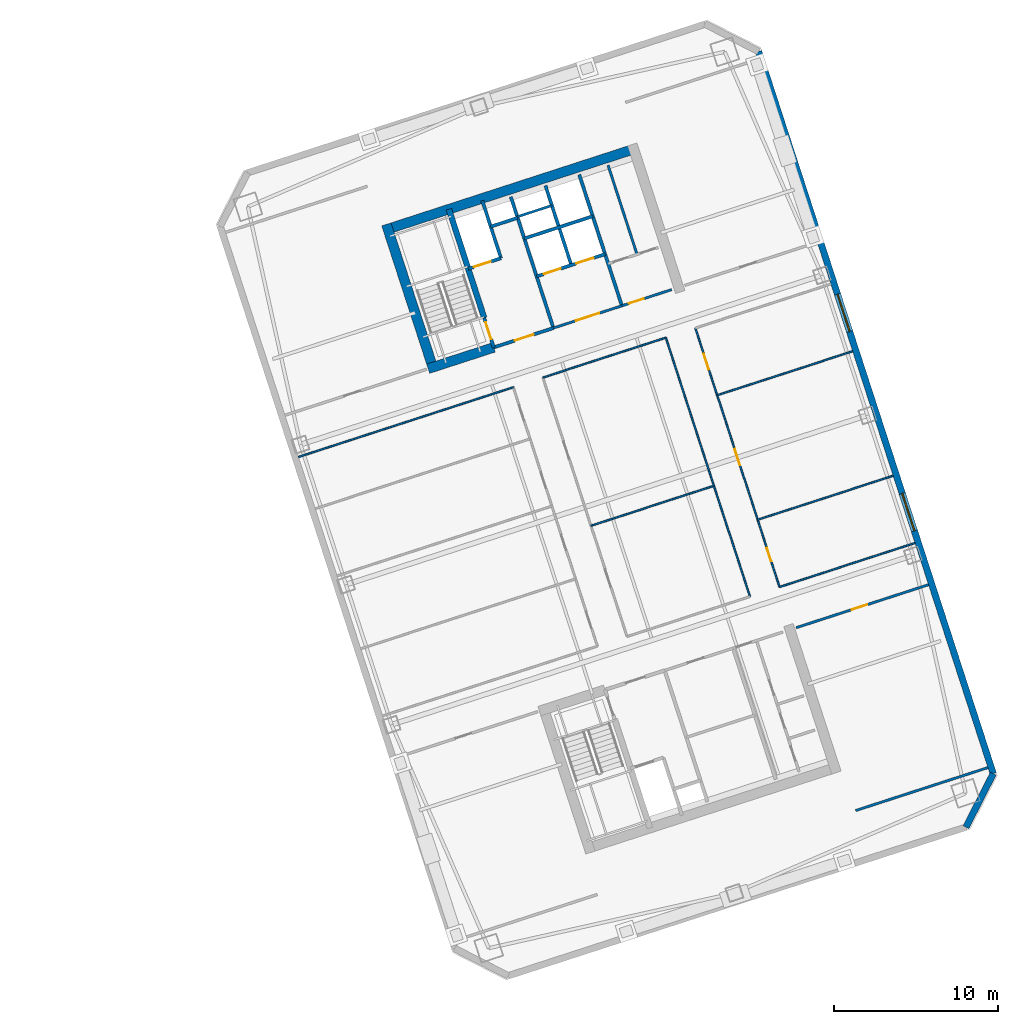
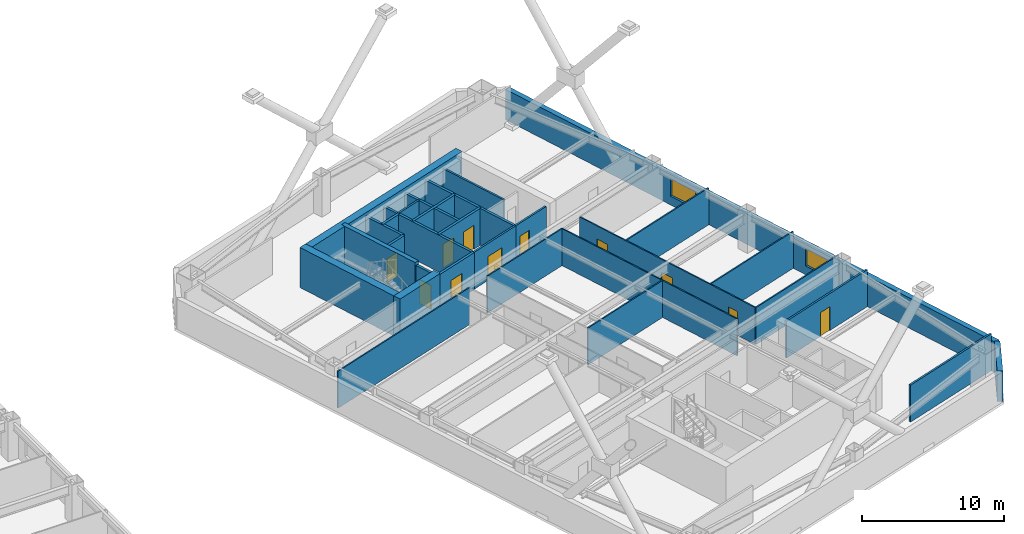
# One storey, part 8 of 12: 30 walls, 11 doors, 2 windows, 13 openings.
"""IFC4 building model written with IfcOpenShell, lengths in metres."""

from ifc_helpers import new_model, si_unit, direction, frame, frame_2d, origin, place, context, subcontext, project, spatial, rectangle, extrude, material, layer, layer_set, type_object, element, fill, save


model = new_model("IFC4")

# Units and contexts
model_context = context("Model", 3, precision=1e-05, world=origin(), true_north=direction((0.0, 1.0)))
body_context = subcontext(model_context, "Body", "Model", "MODEL_VIEW")
ifc_project = project(units=[si_unit("LENGTHUNIT", "METRE"), si_unit("AREAUNIT", "SQUARE_METRE"), si_unit("VOLUMEUNIT", "CUBIC_METRE"), si_unit("PLANEANGLEUNIT", "RADIAN"), si_unit("MASSUNIT", "GRAM", prefix="KILO")], contexts=[model_context])

# Site, building, storey
site_placement = place(None, origin())
site = spatial("IfcSite", under=ifc_project, at=site_placement, CompositionType="ELEMENT")
building_placement = place(site_placement, origin())
building = spatial("IfcBuilding", under=site, at=building_placement, Name="Qiaolan Cultural Towers", CompositionType="ELEMENT")
storey_placement = place(building_placement, frame((0.0, 0.0, 106.949951171875)))
storey = spatial("IfcBuildingStorey", under=building, at=storey_placement, Name="L27", CompositionType="ELEMENT", Elevation=106.949951171875)

# Walls
ifc_material_1 = material(Name="Concrete C50", Category="concrete")
ifc_layer_1 = layer(ifc_material_1, 0.35009765625)
ifc_layer_set_1 = layer_set([ifc_layer_1], Name="Concrete C50")
wall_type_1 = type_object("IfcWallType", Name="WL-CORE-350", PredefinedType="SHEAR", material=ifc_layer_set_1)
wall_1_placement = place(storey_placement, frame((82.513671875, 45.13134765625, 0.0), z_axis=(0.0, 0.0, 1.0), x_axis=(-0.308988790936, 0.951065679686, 0.0)))
element("IfcWall", 1, at=wall_1_placement, inside=storey, type_object=wall_type_1, Name="L27 T2-CN Stair Core Dividing Web", PredefinedType="SHEAR", context=body_context, shape_type="SweptSolid", body=[
    extrude(rectangle(XDim=6.97998046875, YDim=0.35009765625, at=frame_2d((3.489990234375, 0.0))), origin(), (0.0, 0.0, 1.0), 3.449951171875),
])
ifc_material_2 = material(Name="Concrete C55", Category="concrete")
ifc_layer_2 = layer(ifc_material_2, 0.60009765625)
ifc_layer_set_2 = layer_set([ifc_layer_2], Name="Concrete C55")
wall_type_2 = type_object("IfcWallType", Name="WL-CORE-600", PredefinedType="SHEAR", material=ifc_layer_set_2)
wall_2_placement = place(storey_placement, frame((76.343505859375, 50.4658203125, 0.0), z_axis=(0.0, 0.0, 1.0), x_axis=(0.951055727519, 0.309019421968, 0.0)))
element("IfcWall", 2, at=wall_2_placement, inside=storey, type_object=wall_type_2, Name="L27 T2-CN Outer Core Shear Wall", PredefinedType="SHEAR", context=body_context, shape_type="SweptSolid", body=[
    extrude(rectangle(XDim=16.39990234375, YDim=0.60009765625, at=frame_2d((8.199951171875, 0.0))), origin(), (0.0, 0.0, 1.0), 3.449951171875),
])
wall_3_placement = place(storey_placement, frame((79.465576171875, 41.827880859375, 0.0), z_axis=(0.0, 0.0, 1.0), x_axis=(-0.309041232772, 0.951048640421, 0.0)))
element("IfcWall", 3, at=wall_3_placement, inside=storey, type_object=wall_type_2, Name="L27 T2-CN West Core Shear Wall", PredefinedType="SHEAR", context=body_context, shape_type="SweptSolid", body=[
    extrude(rectangle(XDim=9.47998046875, YDim=0.60009765625, at=frame_2d((4.739990234375, 0.0))), origin(), (0.0, 0.0, 1.0), 3.449951171875),
])
wall_4_placement = place(storey_placement, frame((79.08740234375, 42.0205078125, 0.0), z_axis=(0.0, 0.0, 1.0), x_axis=(0.951062550203, 0.3089984233, 0.0)))
element("IfcWall", 4, at=wall_4_placement, inside=storey, type_object=wall_type_2, Name="L27 T2-CN Stair Front Shear Wall", PredefinedType="SHEAR", context=body_context, shape_type="SweptSolid", body=[
    extrude(rectangle(XDim=4.219970703125, YDim=0.60009765625, at=frame_2d((2.10986328125, 0.0))), origin(), (0.0, 0.0, 1.0), 3.449951171875),
])

# Wall, openings, windows
ifc_material_3 = material(Name="Precast Concrete C50 Honed Stone Pier", Category="masonry")
ifc_layer_3 = layer(ifc_material_3, 0.39990234375)
ifc_layer_set_3 = layer_set([ifc_layer_3], Name="Precast Concrete C50 Honed Stone Pier")
wall_type_3 = type_object("IfcWallType", Name="WL-EXT-PIER-400", PredefinedType="SOLIDWALL", material=ifc_layer_set_3)
wall_5_placement = place(storey_placement, frame((99.2841796875, 61.410400390625, 0.0), z_axis=(0.0, 0.0, 1.0), x_axis=(0.309017542002, -0.95105633836, 0.0)))
wall_5 = element("IfcWall", 5, at=wall_5_placement, inside=storey, type_object=wall_type_3, Name="L27 East Tower Precast Pier Facade Wall F5", PredefinedType="SOLIDWALL", context=body_context, shape_type="SweptSolid", body=[
    extrude(rectangle(XDim=46.39990234375, YDim=0.39990234375, at=frame_2d((23.199951171875, 0.0))), origin(), (0.0, 0.0, 1.0), 2.610107421875),
])
opening_1_placement = place(wall_5_placement, frame((28.39990234375, 0.0, 0.75)))
opening_1 = element("IfcOpeningElement", 6, at=opening_1_placement, cuts=wall_5, Name="Opening W-02", PredefinedType="OPENING", context=body_context, shape_type="SweptSolid", body=[
    extrude(rectangle(XDim=2.39990234375, YDim=1.4599609375, at=frame_2d((1.199951171875, 0.72998046875))), frame((0.0, 0.2099609375, 0.0), z_axis=(0.0, -1.0, 0.0), x_axis=(1.0, 0.0, 0.0)), (0.0, 0.0, 1.0), 0.419921875),
])
opening_2_placement = place(wall_5_placement, frame((15.60009765625, 0.0, 0.75)))
opening_2 = element("IfcOpeningElement", 7, at=opening_2_placement, cuts=wall_5, Name="Opening W-02", PredefinedType="OPENING", context=body_context, shape_type="SweptSolid", body=[
    extrude(rectangle(XDim=2.39990234375, YDim=1.4599609375, at=frame_2d((1.199951171875, 0.72998046875))), frame((0.0, 0.2099609375, 0.0), z_axis=(0.0, -1.0, 0.0), x_axis=(1.0, 0.0, 0.0)), (0.0, 0.0, 1.0), 0.419921875),
])
ifc_material_4 = material(Name="Thermally Broken Aluminium Triple Low-E Glazing", Category="aluminium")
window_type = type_object("IfcWindowType", Name="WN-CHIC-2400", PartitioningType="SINGLE_PANEL", PredefinedType="WINDOW", material=ifc_material_4)
window_1_placement = place(opening_1_placement, origin())
window_1 = element("IfcWindow", 8, at=window_1_placement, inside=storey, type_object=window_type, Name="L27 T2 E Chicago Bay Window 1", OverallHeight=1.4599609375, OverallWidth=2.39990234375, PartitioningType="TRIPLE_PANEL_VERTICAL", PredefinedType="WINDOW", context=body_context, shape_type="SweptSolid", body=[
    extrude(rectangle(XDim=2.39990234375, YDim=1.4599609375, at=frame_2d((1.199951171875, 0.72998046875))), frame((0.0, 0.030029296875, 0.0), z_axis=(0.0, -1.0, 0.0), x_axis=(1.0, 0.0, 0.0)), (0.0, 0.0, 1.0), 0.06005859375),
])
fill(opening_1, window_1)
window_2_placement = place(opening_2_placement, origin())
window_2 = element("IfcWindow", 9, at=window_2_placement, inside=storey, type_object=window_type, Name="L27 T2 E Chicago Bay Window 2", OverallHeight=1.4599609375, OverallWidth=2.39990234375, PartitioningType="TRIPLE_PANEL_VERTICAL", PredefinedType="WINDOW", context=body_context, shape_type="SweptSolid", body=[
    extrude(rectangle(XDim=2.39990234375, YDim=1.4599609375, at=frame_2d((1.199951171875, 0.72998046875))), frame((0.0, 0.030029296875, 0.0), z_axis=(0.0, -1.0, 0.0), x_axis=(1.0, 0.0, 0.0)), (0.0, 0.0, 1.0), 0.06005859375),
])
fill(opening_2, window_2)

# Wall
wall_6_placement = place(storey_placement, frame((113.62255859375, 17.281494140625, 0.0), z_axis=(0.0, 0.0, 1.0), x_axis=(-0.454026238093, -0.890988313685, 0.0)))
element("IfcWall", 10, at=wall_6_placement, inside=storey, type_object=wall_type_3, Name="L27 East Tower Precast Pier Facade Wall F6", PredefinedType="SOLIDWALL", context=body_context, shape_type="SweptSolid", body=[
    extrude(rectangle(XDim=3.677001953125, YDim=0.39990234375, at=frame_2d((1.83837890625, 0.0))), origin(), (0.0, 0.0, 1.0), 2.610107421875),
])

# Wall, opening, door
ifc_material_5 = material(Name="Concrete C35 Fire Wall", Category="concrete")
ifc_layer_4 = layer(ifc_material_5, 0.199951171875)
ifc_layer_set_4 = layer_set([ifc_layer_4], Name="Concrete C35 Fire Wall")
wall_type_4 = type_object("IfcWallType", Name="WL-FIRE-200", PredefinedType="PARTITIONING", material=ifc_layer_set_4)
wall_7_placement = place(storey_placement, frame((83.100830078125, 43.324462890625, 0.0), z_axis=(0.0, 0.0, 1.0), x_axis=(-0.309048298632, 0.951046344356, 0.0)))
wall_7 = element("IfcWall", 11, at=wall_7_placement, inside=storey, type_object=wall_type_4, Name="L27 T2-CN Smokeproof Stair Entry Wall", PredefinedType="PARTITIONING", context=body_context, shape_type="SweptSolid", body=[
    extrude(rectangle(XDim=1.89990234375, YDim=0.199951171875, at=frame_2d((0.949951171875, 0.0))), origin(), (0.0, 0.0, 1.0), 3.175048828125),
])
opening_3_placement = place(wall_7_placement, frame((0.52001953125, 0.0, 0.0)))
opening_3 = element("IfcOpeningElement", 12, at=opening_3_placement, cuts=wall_7, Name="Opening FD-04", PredefinedType="OPENING", context=body_context, shape_type="SweptSolid", body=[
    extrude(rectangle(XDim=1.10009765625, YDim=2.050048828125, at=frame_2d((0.550048828125, 1.02490234375))), frame((0.0, 0.10986328125, 0.0), z_axis=(0.0, -1.0, 0.0), x_axis=(1.0, 0.0, 0.0)), (0.0, 0.0, 1.0), 0.219970703125),
])
ifc_material_6 = material(Name="Galvanized Steel Command Fire Door", Category="steel")
door_type_1 = type_object("IfcDoorType", Name="DR-FD90-1100", OperationType="NOTDEFINED", PredefinedType="DOOR", material=ifc_material_6)
door_1_placement = place(opening_3_placement, origin())
door_1 = element("IfcDoor", 13, at=door_1_placement, inside=storey, type_object=door_type_1, Name="L27 ST-E2 Smokeproof Stair Fire Door", OperationType="SINGLE_SWING_LEFT", OverallHeight=2.050048828125, OverallWidth=1.10009765625, PredefinedType="DOOR", context=body_context, shape_type="SweptSolid", body=[
    extrude(rectangle(XDim=1.10009765625, YDim=2.050048828125, at=frame_2d((0.550048828125, 1.02490234375))), frame((0.0, 0.02490234375, 0.0), z_axis=(0.0, -1.0, 0.0), x_axis=(1.0, 0.0, 0.0)), (0.0, 0.0, 1.0), 0.050048828125),
])
fill(opening_3, door_1)

# Wall
wall_8_placement = place(storey_placement, frame((86.743408203125, 44.508056640625, 0.0), z_axis=(0.0, 0.0, 1.0), x_axis=(-0.309016001439, 0.951056838919, 0.0)))
element("IfcWall", 14, at=wall_8_placement, inside=storey, type_object=wall_type_4, Name="L27 T2-CN Firefighting Zone Wall", PredefinedType="PARTITIONING", context=body_context, shape_type="SweptSolid", body=[
    extrude(rectangle(XDim=8.429931640625, YDim=0.199951171875, at=frame_2d((4.21484375, 0.0))), origin(), (0.0, 0.0, 1.0), 3.175048828125),
])

# Wall, opening, door
wall_9_placement = place(storey_placement, frame((83.100830078125, 43.324462890625, 0.0), z_axis=(0.0, 0.0, 1.0), x_axis=(0.951052804469, 0.309028417967, 0.0)))
wall_9 = element("IfcWall", 15, at=wall_9_placement, inside=storey, type_object=wall_type_4, Name="L27 T2-CN Firefighting Lobby Front Wall", PredefinedType="PARTITIONING", context=body_context, shape_type="SweptSolid", body=[
    extrude(rectangle(XDim=3.830078125, YDim=0.199951171875, at=frame_2d((1.9150390625, 0.0))), origin(), (0.0, 0.0, 1.0), 3.175048828125),
])
opening_4_placement = place(wall_9_placement, frame((1.35009765625, 0.0, 0.0)))
opening_4 = element("IfcOpeningElement", 16, at=opening_4_placement, cuts=wall_9, Name="Opening FD-03", PredefinedType="OPENING", context=body_context, shape_type="SweptSolid", body=[
    extrude(rectangle(XDim=1.199951171875, YDim=2.050048828125, at=frame_2d((0.60009765625, 1.02490234375))), frame((0.0, 0.10986328125, 0.0), z_axis=(0.0, -1.0, 0.0), x_axis=(1.0, 0.0, 0.0)), (0.0, 0.0, 1.0), 0.219970703125),
])
ifc_material_7 = material(Name="Galvanized Steel Smokeproof Lobby Fire Door", Category="steel")
door_type_2 = type_object("IfcDoorType", Name="DR-FD90-1200", OperationType="NOTDEFINED", PredefinedType="DOOR", material=ifc_material_7)
door_2_placement = place(opening_4_placement, origin())
door_2 = element("IfcDoor", 17, at=door_2_placement, inside=storey, type_object=door_type_2, Name="L27 FFL-E2 Firefighting Lobby Fire Door", OperationType="SINGLE_SWING_LEFT", OverallHeight=2.050048828125, OverallWidth=1.199951171875, PredefinedType="DOOR", context=body_context, shape_type="SweptSolid", body=[
    extrude(rectangle(XDim=1.199951171875, YDim=2.050048828125, at=frame_2d((0.60009765625, 1.02490234375))), frame((0.0, 0.02490234375, 0.0), z_axis=(0.0, -1.0, 0.0), x_axis=(1.0, 0.0, 0.0)), (0.0, 0.0, 1.0), 0.050048828125),
])
fill(opening_4, door_2)

wall_10_placement = place(storey_placement, frame((81.540283203125, 48.127197265625, 0.0), z_axis=(0.0, 0.0, 1.0), x_axis=(0.951062257173, 0.308999325213, 0.0)))
wall_10 = element("IfcWall", 18, at=wall_10_placement, inside=storey, type_object=wall_type_4, Name="L27 T2-CN Firefighting Shaft Front Wall", PredefinedType="PARTITIONING", context=body_context, shape_type="SweptSolid", body=[
    extrude(rectangle(XDim=2.10009765625, YDim=0.199951171875, at=frame_2d((1.050048828125, 0.0))), origin(), (0.0, 0.0, 1.0), 3.175048828125),
])
opening_5_placement = place(wall_10_placement, frame((0.35009765625, 0.0, 0.0)))
opening_5 = element("IfcOpeningElement", 19, at=opening_5_placement, cuts=wall_10, Name="Opening LD-01", PredefinedType="OPENING", context=body_context, shape_type="SweptSolid", body=[
    extrude(rectangle(XDim=1.10009765625, YDim=2.050048828125, at=frame_2d((0.550048828125, 1.02490234375))), frame((0.0, 0.10986328125, 0.0), z_axis=(0.0, -1.0, 0.0), x_axis=(1.0, 0.0, 0.0)), (0.0, 0.0, 1.0), 0.219970703125),
])
ifc_material_8 = material(Name="Brushed Stainless Steel S30408 Centre-Parting Lift Landing Door", Category="steel")
door_type_3 = type_object("IfcDoorType", Name="DR-LIFT-1100", OperationType="NOTDEFINED", PredefinedType="DOOR", material=ifc_material_8)
door_3_placement = place(opening_5_placement, origin())
door_3 = element("IfcDoor", 20, at=door_3_placement, inside=storey, type_object=door_type_3, Name="L27 FFL-E2 Firefighting Lift Landing Door", OperationType="DOUBLE_DOOR_SLIDING", OverallHeight=2.050048828125, OverallWidth=1.10009765625, PredefinedType="DOOR", context=body_context, shape_type="SweptSolid", body=[
    extrude(rectangle(XDim=1.10009765625, YDim=2.050048828125, at=frame_2d((0.550048828125, 1.02490234375))), frame((0.0, 0.02490234375, 0.0), z_axis=(0.0, -1.0, 0.0), x_axis=(1.0, 0.0, 0.0)), (0.0, 0.0, 1.0), 0.050048828125),
])
fill(opening_5, door_3)

# Walls
wall_11_placement = place(storey_placement, frame((83.53759765625, 48.776123046875, 0.0), z_axis=(0.0, 0.0, 1.0), x_axis=(-0.3089935693, 0.951064127245, 0.0)))
element("IfcWall", 21, at=wall_11_placement, inside=storey, type_object=wall_type_4, Name="L27 T2-CN Firefighting Hoistway East Wall", PredefinedType="PARTITIONING", context=body_context, shape_type="SweptSolid", body=[
    extrude(rectangle(XDim=3.7001953125, YDim=0.199951171875, at=frame_2d((1.85009765625, 0.0))), origin(), (0.0, 0.0, 1.0), 3.175048828125),
])
wall_12_placement = place(storey_placement, frame((82.910400390625, 50.706787109375, 0.0), z_axis=(0.0, 0.0, 1.0), x_axis=(0.951041328149, 0.309063734775, 0.0)))
element("IfcWall", 22, at=wall_12_placement, inside=storey, type_object=wall_type_4, Name="L27 T2-CN Pressurization Shaft Front Wall", PredefinedType="PARTITIONING", context=body_context, shape_type="SweptSolid", body=[
    extrude(rectangle(XDim=1.72998046875, YDim=0.199951171875, at=frame_2d((0.864990234375, 0.0))), origin(), (0.0, 0.0, 1.0), 3.175048828125),
])
wall_13_placement = place(storey_placement, frame((90.92822265625, 45.86767578125, 0.0), z_axis=(0.0, 0.0, 1.0), x_axis=(-0.309042196757, 0.951048327176, 0.0)))
element("IfcWall", 23, at=wall_13_placement, inside=storey, type_object=wall_type_4, Name="L27 T2-CN Lift Core East Wall", PredefinedType="PARTITIONING", context=body_context, shape_type="SweptSolid", body=[
    extrude(rectangle(XDim=8.429931640625, YDim=0.199951171875, at=frame_2d((4.21484375, 0.0))), origin(), (0.0, 0.0, 1.0), 3.175048828125),
])

# Wall, openings, doors
wall_14_placement = place(storey_placement, frame((85.717529296875, 47.66552734375, 0.0), z_axis=(0.0, 0.0, 1.0), x_axis=(0.951058531764, 0.30901079133, 0.0)))
wall_14 = element("IfcWall", 24, at=wall_14_placement, inside=storey, type_object=wall_type_4, Name="L27 T2-CN Passenger Lift Shaft Front Wall", PredefinedType="PARTITIONING", context=body_context, shape_type="SweptSolid", body=[
    extrude(rectangle(XDim=4.39990234375, YDim=0.199951171875, at=frame_2d((2.199951171875, 0.0))), origin(), (0.0, 0.0, 1.0), 3.175048828125),
])
opening_6_placement = place(wall_14_placement, frame((0.449951171875, 0.0, 0.0)))
opening_6 = element("IfcOpeningElement", 25, at=opening_6_placement, cuts=wall_14, Name="Opening LD-01", PredefinedType="OPENING", context=body_context, shape_type="SweptSolid", body=[
    extrude(rectangle(XDim=1.10009765625, YDim=2.050048828125, at=frame_2d((0.550048828125, 1.02490234375))), frame((0.0, 0.10986328125, 0.0), z_axis=(0.0, -1.0, 0.0), x_axis=(1.0, 0.0, 0.0)), (0.0, 0.0, 1.0), 0.219970703125),
])
opening_7_placement = place(wall_14_placement, frame((2.550048828125, 0.0, 0.0)))
opening_7 = element("IfcOpeningElement", 26, at=opening_7_placement, cuts=wall_14, Name="Opening LD-01", PredefinedType="OPENING", context=body_context, shape_type="SweptSolid", body=[
    extrude(rectangle(XDim=1.10009765625, YDim=2.050048828125, at=frame_2d((0.550048828125, 1.02490234375))), frame((0.0, 0.10986328125, 0.0), z_axis=(0.0, -1.0, 0.0), x_axis=(1.0, 0.0, 0.0)), (0.0, 0.0, 1.0), 0.219970703125),
])
door_4_placement = place(opening_6_placement, origin())
door_4 = element("IfcDoor", 27, at=door_4_placement, inside=storey, type_object=door_type_3, Name="L27 Passenger Lift 1 Landing Door", OperationType="DOUBLE_DOOR_SLIDING", OverallHeight=2.050048828125, OverallWidth=1.10009765625, PredefinedType="DOOR", context=body_context, shape_type="SweptSolid", body=[
    extrude(rectangle(XDim=1.10009765625, YDim=2.050048828125, at=frame_2d((0.550048828125, 1.02490234375))), frame((0.0, 0.02490234375, 0.0), z_axis=(0.0, -1.0, 0.0), x_axis=(1.0, 0.0, 0.0)), (0.0, 0.0, 1.0), 0.050048828125),
])
fill(opening_6, door_4)
door_5_placement = place(opening_7_placement, origin())
door_5 = element("IfcDoor", 28, at=door_5_placement, inside=storey, type_object=door_type_3, Name="L27 Passenger Lift 2 Landing Door", OperationType="DOUBLE_DOOR_SLIDING", OverallHeight=2.050048828125, OverallWidth=1.10009765625, PredefinedType="DOOR", context=body_context, shape_type="SweptSolid", body=[
    extrude(rectangle(XDim=1.10009765625, YDim=2.050048828125, at=frame_2d((0.550048828125, 1.02490234375))), frame((0.0, 0.02490234375, 0.0), z_axis=(0.0, -1.0, 0.0), x_axis=(1.0, 0.0, 0.0)), (0.0, 0.0, 1.0), 0.050048828125),
])
fill(opening_7, door_5)

# Walls
wall_15_placement = place(storey_placement, frame((87.83837890625, 48.3544921875, 0.0), z_axis=(0.0, 0.0, 1.0), x_axis=(-0.3090093719, 0.951058992953, 0.0)))
element("IfcWall", 29, at=wall_15_placement, inside=storey, type_object=wall_type_4, Name="L27 T2-CN Lift Shaft Divider Wall", PredefinedType="PARTITIONING", context=body_context, shape_type="SweptSolid", body=[
    extrude(rectangle(XDim=5.110107421875, YDim=0.199951171875, at=frame_2d((2.55517578125, 0.0))), origin(), (0.0, 0.0, 1.0), 3.175048828125),
])
wall_16_placement = place(storey_placement, frame((84.966552734375, 49.9765625, 0.0), z_axis=(0.0, 0.0, 1.0), x_axis=(0.951063829732, 0.308994485023, 0.0)))
element("IfcWall", 30, at=wall_16_placement, inside=storey, type_object=wall_type_4, Name="L27 T2-CN Passenger Lift Shaft Back Wall", PredefinedType="PARTITIONING", context=body_context, shape_type="SweptSolid", body=[
    extrude(rectangle(XDim=4.400146484375, YDim=0.199951171875, at=frame_2d((2.2001953125, 0.0))), origin(), (0.0, 0.0, 1.0), 3.175048828125),
])
ifc_material_9 = material(Name="Acoustic Double-Glazed Partition Frame", Category="glass")
ifc_layer_5 = layer(ifc_material_9, 0.10009765625)
ifc_layer_set_5 = layer_set([ifc_layer_5], Name="Acoustic Double-Glazed Partition Frame")
wall_type_5 = type_object("IfcWallType", Name="WL-GLAZED-100", PredefinedType="MOVABLE", material=ifc_layer_set_5)
wall_17_placement = place(storey_placement, frame((100.559814453125, 28.682861328125, 0.0), z_axis=(0.0, 0.0, 1.0), x_axis=(0.951055307445, 0.309020714809, 0.0)))
element("IfcWall", 31, at=wall_17_placement, inside=storey, type_object=wall_type_5, Name="L27 T2 Interior Wall", PredefinedType="MOVABLE", context=body_context, shape_type="SweptSolid", body=[
    extrude(rectangle(XDim=8.699951171875, YDim=0.10009765625, at=frame_2d((4.35009765625, 0.0))), origin(), (0.0, 0.0, 1.0), 3.175048828125),
])
wall_18_placement = place(storey_placement, frame((71.166015625, 36.628662109375, 0.0), z_axis=(0.0, 0.0, 1.0), x_axis=(0.951056688031, 0.309016465825, 0.0)))
element("IfcWall", 32, at=wall_18_placement, inside=storey, type_object=wall_type_5, Name="L27 T2 Interior Wall", PredefinedType="MOVABLE", context=body_context, shape_type="SweptSolid", body=[
    extrude(rectangle(XDim=13.7998046875, YDim=0.10009765625, at=frame_2d((6.89990234375, 0.0))), origin(), (0.0, 0.0, 1.0), 3.175048828125),
])
wall_19_placement = place(storey_placement, frame((86.097412109375, 41.480224609375, 0.0), z_axis=(0.0, 0.0, 1.0), x_axis=(0.951060182336, 0.309005711233, 0.0)))
element("IfcWall", 33, at=wall_19_placement, inside=storey, type_object=wall_type_5, Name="L27 T2 Interior Wall", PredefinedType="MOVABLE", context=body_context, shape_type="SweptSolid", body=[
    extrude(rectangle(XDim=7.900146484375, YDim=0.10009765625, at=frame_2d((3.9501953125, 0.0))), origin(), (0.0, 0.0, 1.0), 3.175048828125),
])
wall_20_placement = place(storey_placement, frame((98.7529296875, 28.095703125, 0.0), z_axis=(0.0, 0.0, 1.0), x_axis=(-0.30901773025, 0.951056277195, 0.0)))
element("IfcWall", 34, at=wall_20_placement, inside=storey, type_object=wall_type_5, Name="L27 T2 Interior Wall", PredefinedType="MOVABLE", context=body_context, shape_type="SweptSolid", body=[
    extrude(rectangle(XDim=16.64013671875, YDim=0.10009765625, at=frame_2d((8.320068359375, 0.0))), origin(), (0.0, 0.0, 1.0), 3.175048828125),
])

# Wall, openings, doors
wall_21_placement = place(storey_placement, frame((100.559814453125, 28.682861328125, 0.0), z_axis=(0.0, 0.0, 1.0), x_axis=(-0.309004459387, 0.951060589068, 0.0)))
wall_21 = element("IfcWall", 35, at=wall_21_placement, inside=storey, type_object=wall_type_5, Name="L27 T2 Interior Wall", PredefinedType="MOVABLE", context=body_context, shape_type="SweptSolid", body=[
    extrude(rectangle(XDim=16.64013671875, YDim=0.10009765625, at=frame_2d((8.320068359375, 0.0))), origin(), (0.0, 0.0, 1.0), 3.175048828125),
])
opening_8_placement = place(wall_21_placement, frame((1.659912109375, 0.0, 0.0)))
opening_8 = element("IfcOpeningElement", 36, at=opening_8_placement, cuts=wall_21, Name="Opening ID-09", PredefinedType="OPENING", context=body_context, shape_type="SweptSolid", body=[
    extrude(rectangle(XDim=0.85009765625, YDim=2.050048828125, at=frame_2d((0.425048828125, 1.02490234375))), frame((0.0, 0.06005859375, 0.0), z_axis=(0.0, -1.0, 0.0), x_axis=(1.0, 0.0, 0.0)), (0.0, 0.0, 1.0), 0.1201171875),
])
opening_9_placement = place(wall_21_placement, frame((7.820068359375, 0.0, 0.0)))
opening_9 = element("IfcOpeningElement", 37, at=opening_9_placement, cuts=wall_21, Name="Opening ID-07", PredefinedType="OPENING", context=body_context, shape_type="SweptSolid", body=[
    extrude(rectangle(XDim=1.050048828125, YDim=2.050048828125, at=frame_2d((0.52490234375, 1.02490234375))), frame((0.0, 0.06005859375, 0.0), z_axis=(0.0, -1.0, 0.0), x_axis=(1.0, 0.0, 0.0)), (0.0, 0.0, 1.0), 0.1201171875),
])
opening_10_placement = place(wall_21_placement, frame((13.97998046875, 0.0, 0.0)))
opening_10 = element("IfcOpeningElement", 38, at=opening_10_placement, cuts=wall_21, Name="Opening ID-04", PredefinedType="OPENING", context=body_context, shape_type="SweptSolid", body=[
    extrude(rectangle(XDim=1.0, YDim=2.050048828125, at=frame_2d((0.5, 1.02490234375))), frame((0.0, 0.06005859375, 0.0), z_axis=(0.0, -1.0, 0.0), x_axis=(1.0, 0.0, 0.0)), (0.0, 0.0, 1.0), 0.1201171875),
])
ifc_material_10 = material(Name="Oak Veneer Acoustic Office Door", Category="timber")
door_type_4 = type_object("IfcDoorType", Name="DR-INT-1000", OperationType="NOTDEFINED", PredefinedType="DOOR", material=ifc_material_10)
door_6_placement = place(opening_10_placement, origin())
door_6 = element("IfcDoor", 39, at=door_6_placement, inside=storey, type_object=door_type_4, Name="L27 T2 Reception Lounge Door", OperationType="SINGLE_SWING_RIGHT", OverallHeight=2.050048828125, OverallWidth=1.0, PredefinedType="DOOR", context=body_context, shape_type="SweptSolid", body=[
    extrude(rectangle(XDim=1.0, YDim=2.050048828125, at=frame_2d((0.5, 1.02490234375))), frame((0.0, 0.02490234375, 0.0), z_axis=(0.0, -1.0, 0.0), x_axis=(1.0, 0.0, 0.0)), (0.0, 0.0, 1.0), 0.050048828125),
])
fill(opening_10, door_6)
ifc_material_11 = material(Name="Oak Veneer Consultation Door", Category="timber")
door_type_5 = type_object("IfcDoorType", Name="DR-INT-1050", OperationType="NOTDEFINED", PredefinedType="DOOR", material=ifc_material_11)
door_7_placement = place(opening_9_placement, origin())
door_7 = element("IfcDoor", 40, at=door_7_placement, inside=storey, type_object=door_type_5, Name="L27 T2 Client Boardroom Door", OperationType="SINGLE_SWING_LEFT", OverallHeight=2.050048828125, OverallWidth=1.050048828125, PredefinedType="DOOR", context=body_context, shape_type="SweptSolid", body=[
    extrude(rectangle(XDim=1.050048828125, YDim=2.050048828125, at=frame_2d((0.52490234375, 1.02490234375))), frame((0.0, 0.02490234375, 0.0), z_axis=(0.0, -1.0, 0.0), x_axis=(1.0, 0.0, 0.0)), (0.0, 0.0, 1.0), 0.050048828125),
])
fill(opening_9, door_7)
ifc_material_12 = material(Name="Moisture-Resistant Laminate Utility Door", Category="timber")
door_type_6 = type_object("IfcDoorType", Name="DR-INT-850", OperationType="NOTDEFINED", PredefinedType="DOOR", material=ifc_material_12)
door_8_placement = place(opening_8_placement, origin())
door_8 = element("IfcDoor", 41, at=door_8_placement, inside=storey, type_object=door_type_6, Name="L27 T2 Client Boardroom Door", OperationType="SINGLE_SWING_RIGHT", OverallHeight=2.050048828125, OverallWidth=0.85009765625, PredefinedType="DOOR", context=body_context, shape_type="SweptSolid", body=[
    extrude(rectangle(XDim=0.85009765625, YDim=2.050048828125, at=frame_2d((0.425048828125, 1.02490234375))), frame((0.0, 0.02490234375, 0.0), z_axis=(0.0, -1.0, 0.0), x_axis=(1.0, 0.0, 0.0)), (0.0, 0.0, 1.0), 0.050048828125),
])
fill(opening_8, door_8)

# Walls
wall_22_placement = place(storey_placement, frame((89.039306640625, 32.426025390625, 0.0), z_axis=(0.0, 0.0, 1.0), x_axis=(0.951051099951, 0.309033663672, 0.0)))
element("IfcWall", 42, at=wall_22_placement, inside=storey, type_object=wall_type_5, Name="L27 T2 Interior Wall", PredefinedType="MOVABLE", context=body_context, shape_type="SweptSolid", body=[
    extrude(rectangle(XDim=7.900146484375, YDim=0.10009765625, at=frame_2d((3.9501953125, 0.0))), origin(), (0.0, 0.0, 1.0), 3.175048828125),
])
wall_23_placement = place(storey_placement, frame((99.224853515625, 32.79150390625, 0.0), z_axis=(0.0, 0.0, 1.0), x_axis=(0.951055307445, 0.309020714809, 0.0)))
element("IfcWall", 43, at=wall_23_placement, inside=storey, type_object=wall_type_5, Name="L27 T2 Interior Wall", PredefinedType="MOVABLE", context=body_context, shape_type="SweptSolid", body=[
    extrude(rectangle(XDim=8.699951171875, YDim=0.10009765625, at=frame_2d((4.35009765625, 0.0))), origin(), (0.0, 0.0, 1.0), 3.175048828125),
])
wall_24_placement = place(storey_placement, frame((96.752685546875, 40.39990234375, 0.0), z_axis=(0.0, 0.0, 1.0), x_axis=(0.951057987102, 0.309012467661, 0.0)))
element("IfcWall", 44, at=wall_24_placement, inside=storey, type_object=wall_type_5, Name="L27 T2 Interior Wall", PredefinedType="MOVABLE", context=body_context, shape_type="SweptSolid", body=[
    extrude(rectangle(XDim=8.7001953125, YDim=0.10009765625, at=frame_2d((4.35009765625, 0.0))), origin(), (0.0, 0.0, 1.0), 3.175048828125),
])

# Wall, opening, door
ifc_material_13 = material(Name="Autoclaved Aerated Concrete Block B06", Category="concrete")
ifc_layer_6 = layer(ifc_material_13, 0.14990234375)
ifc_layer_set_6 = layer_set([ifc_layer_6], Name="Autoclaved Aerated Concrete Block B06")
wall_type_6 = type_object("IfcWallType", Name="WL-PART-150", PredefinedType="PARTITIONING", material=ifc_layer_set_6)
wall_25_placement = place(storey_placement, frame((86.743408203125, 44.508056640625, 0.0), z_axis=(0.0, 0.0, 1.0), x_axis=(0.951063829732, 0.308994485023, 0.0)))
wall_25 = element("IfcWall", 45, at=wall_25_placement, inside=storey, type_object=wall_type_6, Name="L27 T2-CN Passenger Lift Lobby Front Wall", PredefinedType="PARTITIONING", context=body_context, shape_type="SweptSolid", body=[
    extrude(rectangle(XDim=4.400146484375, YDim=0.14990234375, at=frame_2d((2.2001953125, 0.0))), origin(), (0.0, 0.0, 1.0), 3.175048828125),
])
opening_11_placement = place(wall_25_placement, frame((1.449951171875, 0.0, 0.0)))
opening_11 = element("IfcOpeningElement", 46, at=opening_11_placement, cuts=wall_25, Name="Opening FD-05", PredefinedType="OPENING", context=body_context, shape_type="SweptSolid", body=[
    extrude(rectangle(XDim=1.5, YDim=2.050048828125, at=frame_2d((0.75, 1.02490234375))), frame((0.0, 0.0849609375, 0.0), z_axis=(0.0, -1.0, 0.0), x_axis=(1.0, 0.0, 0.0)), (0.0, 0.0, 1.0), 0.169921875),
])
ifc_material_14 = material(Name="Painted Steel Lift Lobby Fire Door", Category="steel")
door_type_7 = type_object("IfcDoorType", Name="DR-FD60-1500", OperationType="NOTDEFINED", PredefinedType="DOOR", material=ifc_material_14)
door_9_placement = place(opening_11_placement, origin())
door_9 = element("IfcDoor", 47, at=door_9_placement, inside=storey, type_object=door_type_7, Name="L27 Passenger Lift Lobby Entrance", OperationType="SINGLE_SWING_LEFT", OverallHeight=2.050048828125, OverallWidth=1.5, PredefinedType="DOOR", context=body_context, shape_type="SweptSolid", body=[
    extrude(rectangle(XDim=1.5, YDim=2.050048828125, at=frame_2d((0.75, 1.02490234375))), frame((0.0, 0.02490234375, 0.0), z_axis=(0.0, -1.0, 0.0), x_axis=(1.0, 0.0, 0.0)), (0.0, 0.0, 1.0), 0.050048828125),
])
fill(opening_11, door_9)

# Wall
wall_26_placement = place(storey_placement, frame((84.533935546875, 51.30810546875, 0.0), z_axis=(0.0, 0.0, 1.0), x_axis=(0.951075093106, 0.308959814982, 0.0)))
element("IfcWall", 48, at=wall_26_placement, inside=storey, type_object=wall_type_6, Name="L27 T2-CN Core Rear Riser Split", PredefinedType="PARTITIONING", context=body_context, shape_type="SweptSolid", body=[
    extrude(rectangle(XDim=2.22998046875, YDim=0.14990234375, at=frame_2d((1.114990234375, 0.0))), origin(), (0.0, 0.0, 1.0), 3.175048828125),
])

# Wall, opening, door
wall_27_placement = place(storey_placement, frame((90.92822265625, 45.86767578125, 0.0), z_axis=(0.0, 0.0, 1.0), x_axis=(0.951059297078, 0.309008435874, 0.0)))
wall_27 = element("IfcWall", 49, at=wall_27_placement, inside=storey, type_object=wall_type_6, Name="L27 T2-CN Sanitary Core Front Wall", PredefinedType="PARTITIONING", context=body_context, shape_type="SweptSolid", body=[
    extrude(rectangle(XDim=3.19970703125, YDim=0.14990234375, at=frame_2d((1.599853515625, 0.0))), origin(), (0.0, 0.0, 1.0), 3.175048828125),
])
opening_12_placement = place(wall_27_placement, frame((0.449951171875, 0.0, 0.0)))
opening_12 = element("IfcOpeningElement", 50, at=opening_12_placement, cuts=wall_27, Name="Opening ID-05", PredefinedType="OPENING", context=body_context, shape_type="SweptSolid", body=[
    extrude(rectangle(XDim=0.949951171875, YDim=2.050048828125, at=frame_2d((0.47509765625, 1.02490234375))), frame((0.0, 0.0849609375, 0.0), z_axis=(0.0, -1.0, 0.0), x_axis=(1.0, 0.0, 0.0)), (0.0, 0.0, 1.0), 0.169921875),
])
ifc_material_15 = material(Name="Fire-Rated Laminate Accessible Core Door", Category="timber")
door_type_8 = type_object("IfcDoorType", Name="DR-INT-950", OperationType="NOTDEFINED", PredefinedType="DOOR", material=ifc_material_15)
door_10_placement = place(opening_12_placement, origin())
door_10 = element("IfcDoor", 51, at=door_10_placement, inside=storey, type_object=door_type_8, Name="L27 Sanitary Vestibule Door", OperationType="SINGLE_SWING_LEFT", OverallHeight=2.050048828125, OverallWidth=0.949951171875, PredefinedType="DOOR", context=body_context, shape_type="SweptSolid", body=[
    extrude(rectangle(XDim=0.949951171875, YDim=2.050048828125, at=frame_2d((0.47509765625, 1.02490234375))), frame((0.0, 0.02490234375, 0.0), z_axis=(0.0, -1.0, 0.0), x_axis=(1.0, 0.0, 0.0)), (0.0, 0.0, 1.0), 0.050048828125),
])
fill(opening_12, door_10)

# Walls
wall_28_placement = place(storey_placement, frame((91.853271484375, 49.007080078125, 0.0), z_axis=(0.0, 0.0, 1.0), x_axis=(-0.309022487551, 0.951054731437, 0.0)))
element("IfcWall", 52, at=wall_28_placement, inside=storey, type_object=wall_type_6, Name="L27 T2-CN Restroom Divider Wall", PredefinedType="PARTITIONING", context=body_context, shape_type="SweptSolid", body=[
    extrude(rectangle(XDim=5.730224609375, YDim=0.14990234375, at=frame_2d((2.865234375, 0.0))), origin(), (0.0, 0.0, 1.0), 3.175048828125),
])
wall_29_placement = place(storey_placement, frame((105.209228515625, 15.02099609375, 0.0), z_axis=(0.0, 0.0, 1.0), x_axis=(0.951054329824, 0.309023723562, 0.0)))
element("IfcWall", 53, at=wall_29_placement, inside=storey, type_object=wall_type_6, Name="L27 T2 Flank Wall FLK-SE", PredefinedType="PARTITIONING", context=body_context, shape_type="SweptSolid", body=[
    extrude(rectangle(XDim=8.5, YDim=0.14990234375, at=frame_2d((4.25, 0.0))), origin(), (0.0, 0.0, 1.0), 3.175048828125),
])

# Wall, opening, door
wall_30_placement = place(storey_placement, frame((101.578369140625, 26.196044921875, 0.0), z_axis=(0.0, 0.0, 1.0), x_axis=(0.951062770994, 0.308997743729, 0.0)))
wall_30 = element("IfcWall", 54, at=wall_30_placement, inside=storey, type_object=wall_type_6, Name="L27 T2 Flank Front FLK-SE", PredefinedType="PARTITIONING", context=body_context, shape_type="SweptSolid", body=[
    extrude(rectangle(XDim=8.5, YDim=0.14990234375, at=frame_2d((4.25, 0.0))), origin(), (0.0, 0.0, 1.0), 3.175048828125),
])
opening_13_placement = place(wall_30_placement, frame((3.570068359375, 0.0, 0.0)))
opening_13 = element("IfcOpeningElement", 55, at=opening_13_placement, cuts=wall_30, Name="Opening ID-04", PredefinedType="OPENING", context=body_context, shape_type="SweptSolid", body=[
    extrude(rectangle(XDim=1.0, YDim=2.050048828125, at=frame_2d((0.5, 1.02490234375))), frame((0.0, 0.0849609375, 0.0), z_axis=(0.0, -1.0, 0.0), x_axis=(1.0, 0.0, 0.0)), (0.0, 0.0, 1.0), 0.169921875),
])
door_11_placement = place(opening_13_placement, origin())
door_11 = element("IfcDoor", 56, at=door_11_placement, inside=storey, type_object=door_type_4, Name="L27 T2 Corner Studio Door", OperationType="SINGLE_SWING_LEFT", OverallHeight=2.050048828125, OverallWidth=1.0, PredefinedType="DOOR", context=body_context, shape_type="SweptSolid", body=[
    extrude(rectangle(XDim=1.0, YDim=2.050048828125, at=frame_2d((0.5, 1.02490234375))), frame((0.0, 0.02490234375, 0.0), z_axis=(0.0, -1.0, 0.0), x_axis=(1.0, 0.0, 0.0)), (0.0, 0.0, 1.0), 0.050048828125),
])
fill(opening_13, door_11)

save(model, "model.ifc")
